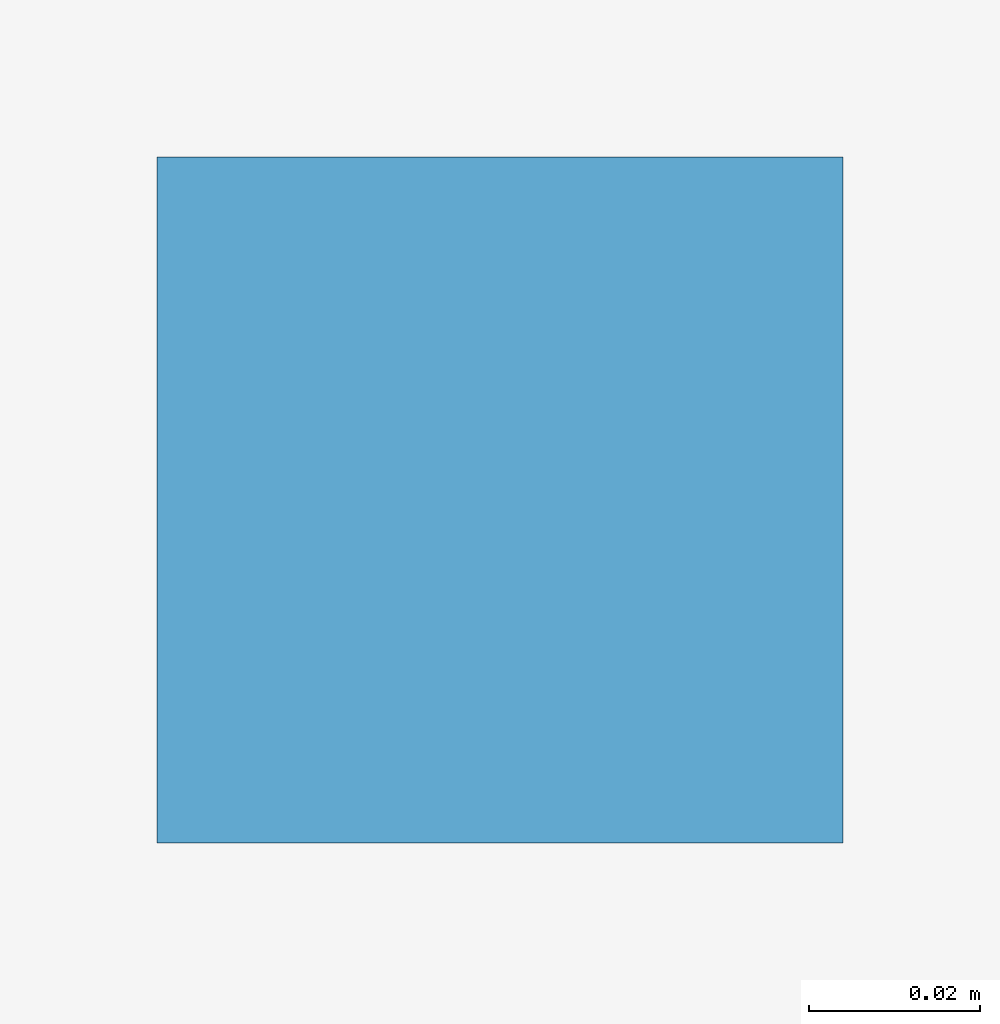
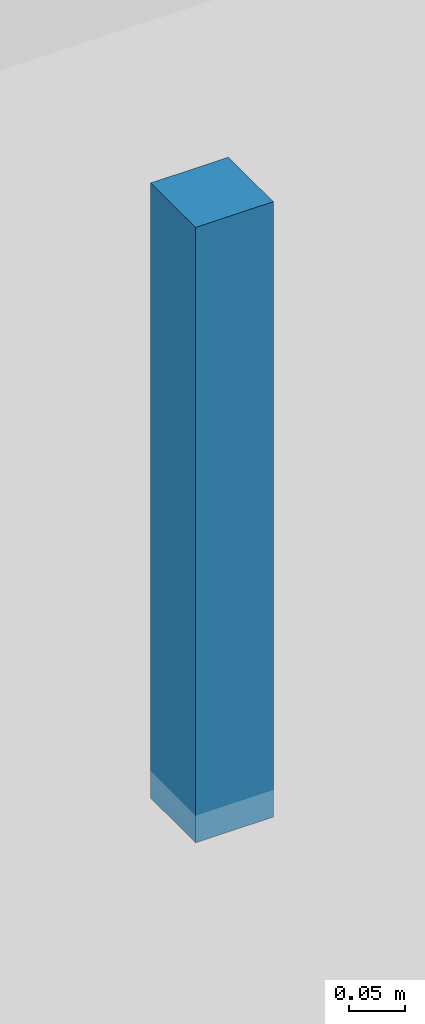
# One storey, part 12 of 17: 1 discrete accessory.
"""IFC4 building model written with IfcOpenShell, lengths in metres."""

from ifc_helpers import new_model, si_unit, direction, frame, origin, origin_2d, place, context, subcontext, project, spatial, rectangle, extrude, source, transform, mapped, material, type_object, element, save


model = new_model("IFC4")

# Units and contexts
model_context = context("Model", 3, precision=1e-05, world=origin(), true_north=direction((0.0, 1.0)))
body_context = subcontext(model_context, "Body", "Model", "MODEL_VIEW")
ifc_project = project(units=[si_unit("LENGTHUNIT", "METRE"), si_unit("AREAUNIT", "SQUARE_METRE"), si_unit("VOLUMEUNIT", "CUBIC_METRE"), si_unit("PLANEANGLEUNIT", "RADIAN"), si_unit("MASSUNIT", "GRAM", prefix="KILO")], contexts=[model_context])

# Site, building, storey
site_placement = place(None, origin())
site = spatial("IfcSite", under=ifc_project, at=site_placement, CompositionType="ELEMENT")
building_placement = place(site_placement, origin())
building = spatial("IfcBuilding", under=site, at=building_placement, Name="Giltprow Tower", CompositionType="ELEMENT")
storey_placement = place(building_placement, frame((0.0, 0.0, 213.199951171875)))
storey = spatial("IfcBuildingStorey", under=building, at=storey_placement, Name="L54", CompositionType="ELEMENT", Elevation=213.199951171875)

# Discrete accessory
ifc_material = material(Name="Structural steel Q355B", Category="steel")
discrete_accessory_type = type_object("IfcDiscreteAccessoryType", Name="ACC-CLG-HANGER", PredefinedType="BRACKET", material=ifc_material)
shared_shape = source(origin(), body_context, "Body", "SweptSolid", [
    extrude(rectangle(XDim=0.080078125, YDim=0.080078125, at=origin_2d()), origin(), (0.0, 0.0, 1.0), 0.669921875),
])
discrete_accessory_placement = place(storey_placement, frame((35.0, 35.89990234375, 2.6201171875), z_axis=(0.0, 0.0, 1.0), x_axis=(1.0, 0.0, 0.0)))
element("IfcDiscreteAccessory", 1, at=discrete_accessory_placement, inside=storey, type_object=discrete_accessory_type, Name="L54 Hotel Corridor Gypsum Ceiling Suspension Hanger", PredefinedType="BRACKET", context=body_context, shape_type="MappedRepresentation", body=[
    mapped(shared_shape, transform((0.0, 0.0, 0.0), x_axis=(1.0, 0.0, 0.0), y_axis=(0.0, 1.0, 0.0), z_axis=(0.0, 0.0, 1.0), scale=1.0)),
])

save(model, "model.ifc")
